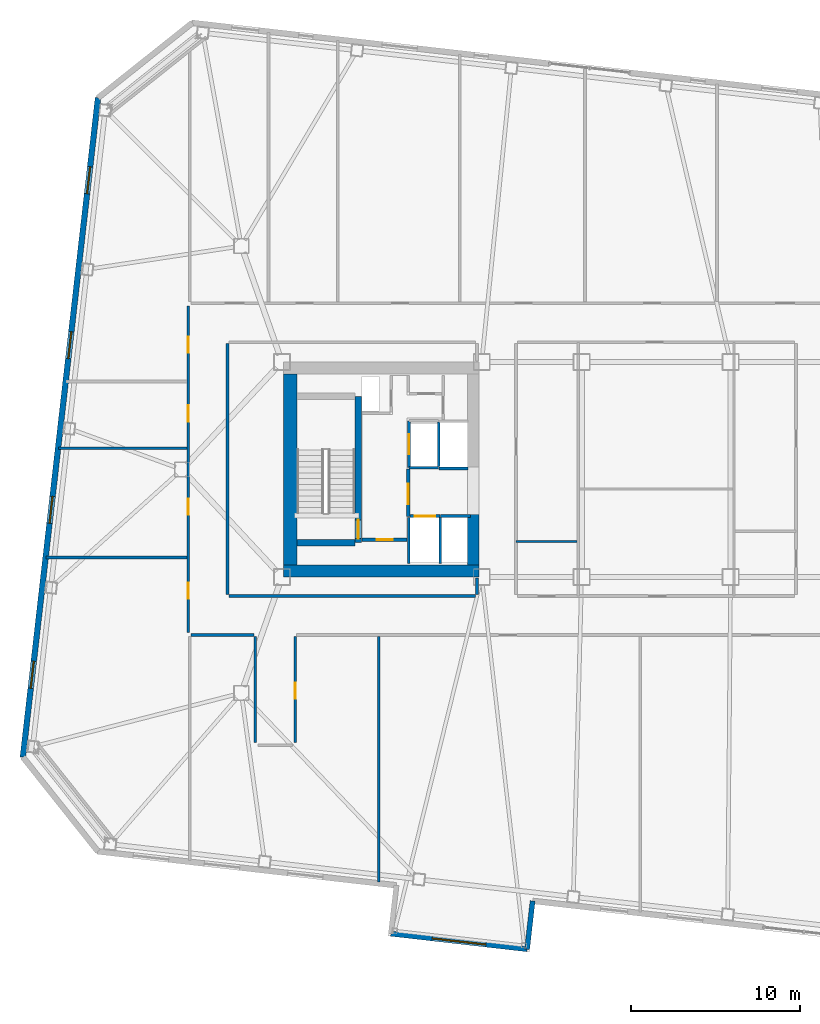
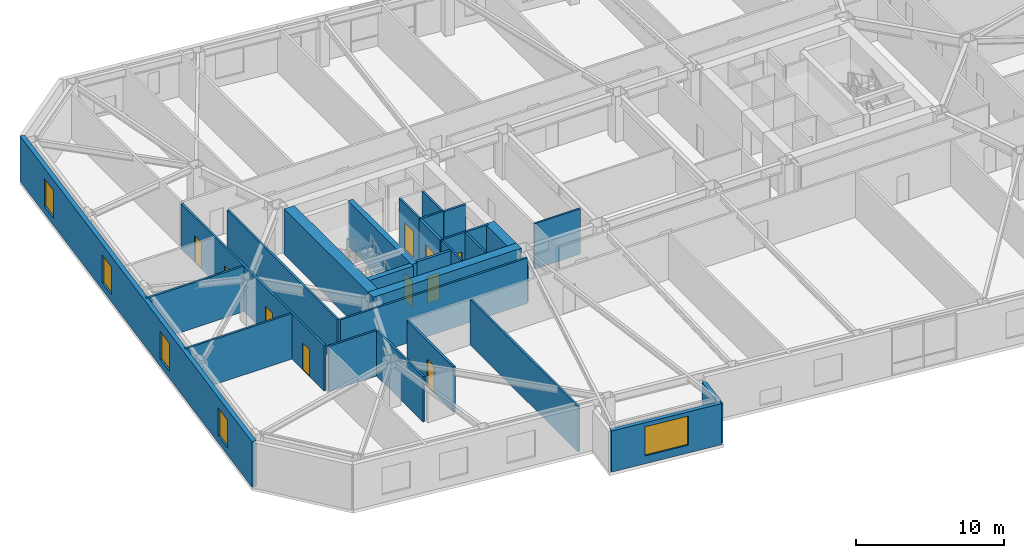
# One storey, part 10 of 19: 29 walls, 10 doors, 5 windows, 15 openings.
"""IFC4 building model written with IfcOpenShell, lengths in metres."""

from ifc_helpers import new_model, si_unit, direction, frame, frame_2d, origin, place, context, subcontext, project, spatial, rectangle, extrude, material, layer, layer_set, type_object, element, fill, save


model = new_model("IFC4")

# Units and contexts
model_context = context("Model", 3, precision=1e-05, world=origin(), true_north=direction((0.0, 1.0)))
body_context = subcontext(model_context, "Body", "Model", "MODEL_VIEW")
ifc_project = project(units=[si_unit("LENGTHUNIT", "METRE"), si_unit("AREAUNIT", "SQUARE_METRE"), si_unit("VOLUMEUNIT", "CUBIC_METRE"), si_unit("PLANEANGLEUNIT", "RADIAN"), si_unit("MASSUNIT", "GRAM", prefix="KILO")], contexts=[model_context])

# Site, building, storey
site_placement = place(None, origin())
site = spatial("IfcSite", under=ifc_project, at=site_placement, CompositionType="ELEMENT")
building_placement = place(site_placement, origin())
building = spatial("IfcBuilding", under=site, at=building_placement, Name="Tavrogorsk Clinical Tower", CompositionType="ELEMENT")
storey_placement = place(building_placement, frame((0.0, 0.0, 101.39990234375)))
storey = spatial("IfcBuildingStorey", under=building, at=storey_placement, Name="L22", CompositionType="ELEMENT", Elevation=101.39990234375)

# Wall, opening, door
ifc_material_1 = material(Name="Concrete B60", Category="concrete")
ifc_layer_1 = layer(ifc_material_1, 0.199951171875)
ifc_layer_set_1 = layer_set([ifc_layer_1], Name="Concrete B60")
wall_type_1 = type_object("IfcWallType", Name="CoreFireWall_200", PredefinedType="SOLIDWALL", material=ifc_layer_set_1)
wall_1_placement = place(storey_placement, frame((-17.3798828125, -4.139892578125, 0.0), z_axis=(0.0, 0.0, 1.0), x_axis=(1.0, 0.0, 0.0)))
wall_1 = element("IfcWall", 1, at=wall_1_placement, inside=storey, type_object=wall_type_1, Name="L22 Core West South Core Room Fire Wall", PredefinedType="SOLIDWALL", context=body_context, shape_type="SweptSolid", body=[
    extrude(rectangle(XDim=2.659912109375, YDim=0.199951171875, at=frame_2d((1.330078125, 0.0))), origin(), (0.0, 0.0, 1.0), 3.739990234375),
])
opening_1_placement = place(wall_1_placement, frame((0.8798828125, 0.0, 0.0)))
opening_1 = element("IfcOpeningElement", 2, at=opening_1_placement, cuts=wall_1, Name="Opening ID-02", PredefinedType="OPENING", context=body_context, shape_type="SweptSolid", body=[
    extrude(rectangle(XDim=0.949951171875, YDim=2.199951171875, at=frame_2d((0.47509765625, 1.10009765625))), frame((0.0, 0.10986328125, 0.0), z_axis=(0.0, -1.0, 0.0), x_axis=(1.0, 0.0, 0.0)), (0.0, 0.0, 1.0), 0.219970703125),
])
ifc_material_2 = material(Name="Laminated timber leaf on aluminium frame", Category="wood")
door_type_1 = type_object("IfcDoorType", Name="InteriorDoor_ID02_950", OperationType="NOTDEFINED", PredefinedType="DOOR", material=ifc_material_2)
door_1_placement = place(opening_1_placement, origin())
door_1 = element("IfcDoor", 3, at=door_1_placement, inside=storey, type_object=door_type_1, Name="L22 Core West South Core Room Door", OperationType="SINGLE_SWING_RIGHT", OverallHeight=2.199951171875, OverallWidth=0.949951171875, PredefinedType="DOOR", context=body_context, shape_type="SweptSolid", body=[
    extrude(rectangle(XDim=0.949951171875, YDim=2.199951171875, at=frame_2d((0.47509765625, 1.10009765625))), frame((0.0, 0.02490234375, 0.0), z_axis=(0.0, -1.0, 0.0), x_axis=(1.0, 0.0, 0.0)), (0.0, 0.0, 1.0), 0.050048828125),
])
fill(opening_1, door_1)

wall_2_placement = place(storey_placement, frame((-14.639892578125, -2.780029296875, 0.0), z_axis=(0.0, 0.0, 1.0), x_axis=(0.0, 1.0, 0.0)))
wall_2 = element("IfcWall", 4, at=wall_2_placement, inside=storey, type_object=wall_type_1, Name="L22 Core West Firefighting Lobby Fire Wall", PredefinedType="SOLIDWALL", context=body_context, shape_type="SweptSolid", body=[
    extrude(rectangle(XDim=2.820068359375, YDim=0.199951171875, at=frame_2d((1.41015625, 0.0))), origin(), (0.0, 0.0, 1.0), 3.739990234375),
])
opening_2_placement = place(wall_2_placement, frame((0.72998046875, 0.0, 0.0)))
opening_2 = element("IfcOpeningElement", 5, at=opening_2_placement, cuts=wall_2, Name="Opening FD-01", PredefinedType="OPENING", context=body_context, shape_type="SweptSolid", body=[
    extrude(rectangle(XDim=1.199951171875, YDim=2.199951171875, at=frame_2d((0.60009765625, 1.10009765625))), frame((0.0, 0.10986328125, 0.0), z_axis=(0.0, -1.0, 0.0), x_axis=(1.0, 0.0, 0.0)), (0.0, 0.0, 1.0), 0.219970703125),
])
ifc_material_3 = material(Name="Galvanised steel fire-rated door assembly", Category="steel")
door_type_2 = type_object("IfcDoorType", Name="FireDoor_FD01_1200", OperationType="NOTDEFINED", PredefinedType="DOOR", material=ifc_material_3)
door_2_placement = place(opening_2_placement, origin())
door_2 = element("IfcDoor", 6, at=door_2_placement, inside=storey, type_object=door_type_2, Name="L22 Core West Firefighting Lobby Entry Door", OperationType="SINGLE_SWING_LEFT", OverallHeight=2.199951171875, OverallWidth=1.199951171875, PredefinedType="DOOR", context=body_context, shape_type="SweptSolid", body=[
    extrude(rectangle(XDim=1.199951171875, YDim=2.199951171875, at=frame_2d((0.60009765625, 1.10009765625))), frame((0.0, 0.02490234375, 0.0), z_axis=(0.0, -1.0, 0.0), x_axis=(1.0, 0.0, 0.0)), (0.0, 0.0, 1.0), 0.050048828125),
])
fill(opening_2, door_2)

# Walls
ifc_material_4 = material(Name="Lightweight concrete blockwork B15", Category="masonry")
ifc_layer_2 = layer(ifc_material_4, 0.139892578125)
ifc_layer_set_2 = layer_set([ifc_layer_2], Name="Lightweight concrete blockwork B15")
wall_type_2 = type_object("IfcWallType", Name="PartitionWall_140", PredefinedType="PARTITIONING", material=ifc_layer_set_2)
wall_3_placement = place(storey_placement, frame((-8.264892578125, -4.25, 0.0), z_axis=(0.0, 0.0, 1.0), x_axis=(1.0, 0.0, 0.0)))
element("IfcWall", 7, at=wall_3_placement, inside=storey, type_object=wall_type_2, Name="L22 Central Spine Partition 4", PredefinedType="PARTITIONING", context=body_context, shape_type="SweptSolid", body=[
    extrude(rectangle(XDim=3.58984375, YDim=0.139892578125, at=frame_2d((1.794921875, 0.0))), origin(), (0.0, 0.0, 1.0), 3.739990234375),
])
ifc_material_5 = material(Name="Lightweight concrete blockwork B15", Category="masonry")
ifc_layer_3 = layer(ifc_material_5, 0.159912109375)
ifc_layer_set_3 = layer_set([ifc_layer_3], Name="Lightweight concrete blockwork B15")
wall_type_3 = type_object("IfcWallType", Name="PartitionWall_160", PredefinedType="PARTITIONING", material=ifc_layer_set_3)
wall_4_placement = place(storey_placement, frame((-23.764892578125, -9.780029296875, 0.0), z_axis=(0.0, 0.0, 1.0), x_axis=(-1.0, 0.0, 0.0)))
element("IfcWall", 8, at=wall_4_placement, inside=storey, type_object=wall_type_3, Name="L22 Corridor Partition 01", PredefinedType="PARTITIONING", context=body_context, shape_type="SweptSolid", body=[
    extrude(rectangle(XDim=3.7001953125, YDim=0.159912109375, at=frame_2d((1.85009765625, 0.0))), origin(), (0.0, 0.0, 1.0), 3.739990234375),
])

# Wall, openings, doors
wall_5_placement = place(storey_placement, frame((-27.6298828125, -9.614990234375, 0.0), z_axis=(0.0, 0.0, 1.0), x_axis=(0.0, 1.0, 0.0)))
wall_5 = element("IfcWall", 9, at=wall_5_placement, inside=storey, type_object=wall_type_3, Name="L22 Corridor Partition 02", PredefinedType="PARTITIONING", context=body_context, shape_type="SweptSolid", body=[
    extrude(rectangle(XDim=19.280029296875, YDim=0.159912109375, at=frame_2d((9.64013671875, 0.0))), origin(), (0.0, 0.0, 1.0), 3.739990234375),
])
opening_3_placement = place(wall_5_placement, frame((1.968994140625, 0.0, 0.0)))
opening_3 = element("IfcOpeningElement", 10, at=opening_3_placement, cuts=wall_5, Name="Opening ID-02", PredefinedType="OPENING", context=body_context, shape_type="SweptSolid", body=[
    extrude(rectangle(XDim=0.949951171875, YDim=2.199951171875, at=frame_2d((0.47509765625, 1.10009765625))), frame((0.0, 0.08984375, 0.0), z_axis=(0.0, -1.0, 0.0), x_axis=(1.0, 0.0, 0.0)), (0.0, 0.0, 1.0), 0.179931640625),
])
opening_4_placement = place(wall_5_placement, frame((6.949951171875, 0.0, 0.0)))
opening_4 = element("IfcOpeningElement", 11, at=opening_4_placement, cuts=wall_5, Name="Opening ID-02", PredefinedType="OPENING", context=body_context, shape_type="SweptSolid", body=[
    extrude(rectangle(XDim=0.949951171875, YDim=2.199951171875, at=frame_2d((0.47509765625, 1.10009765625))), frame((0.0, 0.08984375, 0.0), z_axis=(0.0, -1.0, 0.0), x_axis=(1.0, 0.0, 0.0)), (0.0, 0.0, 1.0), 0.179931640625),
])
opening_5_placement = place(wall_5_placement, frame((12.449951171875, 0.0, 0.0)))
opening_5 = element("IfcOpeningElement", 12, at=opening_5_placement, cuts=wall_5, Name="Opening ID-02", PredefinedType="OPENING", context=body_context, shape_type="SweptSolid", body=[
    extrude(rectangle(XDim=0.949951171875, YDim=2.199951171875, at=frame_2d((0.47509765625, 1.10009765625))), frame((0.0, 0.08984375, 0.0), z_axis=(0.0, -1.0, 0.0), x_axis=(1.0, 0.0, 0.0)), (0.0, 0.0, 1.0), 0.179931640625),
])
opening_6_placement = place(wall_5_placement, frame((16.505859375, 0.0, 0.0)))
opening_6 = element("IfcOpeningElement", 13, at=opening_6_placement, cuts=wall_5, Name="Opening ID-02", PredefinedType="OPENING", context=body_context, shape_type="SweptSolid", body=[
    extrude(rectangle(XDim=0.949951171875, YDim=2.199951171875, at=frame_2d((0.47509765625, 1.10009765625))), frame((0.0, 0.08984375, 0.0), z_axis=(0.0, -1.0, 0.0), x_axis=(1.0, 0.0, 0.0)), (0.0, 0.0, 1.0), 0.179931640625),
])
door_3_placement = place(opening_3_placement, origin())
door_3 = element("IfcDoor", 14, at=door_3_placement, inside=storey, type_object=door_type_1, Name="L22 W Solarium Day Room & Lounge 1 Door", OperationType="SINGLE_SWING_RIGHT", OverallHeight=2.199951171875, OverallWidth=0.949951171875, PredefinedType="DOOR", context=body_context, shape_type="SweptSolid", body=[
    extrude(rectangle(XDim=0.949951171875, YDim=2.199951171875, at=frame_2d((0.47509765625, 1.10009765625))), frame((0.0, 0.02490234375, 0.0), z_axis=(0.0, -1.0, 0.0), x_axis=(1.0, 0.0, 0.0)), (0.0, 0.0, 1.0), 0.050048828125),
])
fill(opening_3, door_3)
door_4_placement = place(opening_4_placement, origin())
door_4 = element("IfcDoor", 15, at=door_4_placement, inside=storey, type_object=door_type_1, Name="L22 W Rehabilitation Therapy Suite 2 Door", OperationType="SINGLE_SWING_LEFT", OverallHeight=2.199951171875, OverallWidth=0.949951171875, PredefinedType="DOOR", context=body_context, shape_type="SweptSolid", body=[
    extrude(rectangle(XDim=0.949951171875, YDim=2.199951171875, at=frame_2d((0.47509765625, 1.10009765625))), frame((0.0, 0.02490234375, 0.0), z_axis=(0.0, -1.0, 0.0), x_axis=(1.0, 0.0, 0.0)), (0.0, 0.0, 1.0), 0.050048828125),
])
fill(opening_4, door_4)
door_5_placement = place(opening_5_placement, origin())
door_5 = element("IfcDoor", 16, at=door_5_placement, inside=storey, type_object=door_type_1, Name="L22 W Sub-Acute Observation Suite 3 Door", OperationType="SINGLE_SWING_RIGHT", OverallHeight=2.199951171875, OverallWidth=0.949951171875, PredefinedType="DOOR", context=body_context, shape_type="SweptSolid", body=[
    extrude(rectangle(XDim=0.949951171875, YDim=2.199951171875, at=frame_2d((0.47509765625, 1.10009765625))), frame((0.0, 0.02490234375, 0.0), z_axis=(0.0, -1.0, 0.0), x_axis=(1.0, 0.0, 0.0)), (0.0, 0.0, 1.0), 0.050048828125),
])
fill(opening_5, door_5)
door_6_placement = place(opening_6_placement, origin())
door_6 = element("IfcDoor", 17, at=door_6_placement, inside=storey, type_object=door_type_1, Name="L22 W Family Consultation Lounge 4 Door", OperationType="SINGLE_SWING_LEFT", OverallHeight=2.199951171875, OverallWidth=0.949951171875, PredefinedType="DOOR", context=body_context, shape_type="SweptSolid", body=[
    extrude(rectangle(XDim=0.949951171875, YDim=2.199951171875, at=frame_2d((0.47509765625, 1.10009765625))), frame((0.0, 0.02490234375, 0.0), z_axis=(0.0, -1.0, 0.0), x_axis=(1.0, 0.0, 0.0)), (0.0, 0.0, 1.0), 0.050048828125),
])
fill(opening_6, door_6)

# Wall, opening, door
wall_6_placement = place(storey_placement, frame((-21.320068359375, -9.864990234375, 0.0), z_axis=(0.0, 0.0, 1.0), x_axis=(0.0, -1.0, 0.0)))
wall_6 = element("IfcWall", 18, at=wall_6_placement, inside=storey, type_object=wall_type_3, Name="L22 Corridor Partition 06", PredefinedType="PARTITIONING", context=body_context, shape_type="SweptSolid", body=[
    extrude(rectangle(XDim=6.25, YDim=0.159912109375, at=frame_2d((3.125, 0.0))), origin(), (0.0, 0.0, 1.0), 3.739990234375),
])
opening_7_placement = place(wall_6_placement, frame((2.735107421875, 0.0, 0.0)))
opening_7 = element("IfcOpeningElement", 19, at=opening_7_placement, cuts=wall_6, Name="Opening ID-02", PredefinedType="OPENING", context=body_context, shape_type="SweptSolid", body=[
    extrude(rectangle(XDim=0.949951171875, YDim=2.199951171875, at=frame_2d((0.47509765625, 1.10009765625))), frame((0.0, 0.08984375, 0.0), z_axis=(0.0, -1.0, 0.0), x_axis=(1.0, 0.0, 0.0)), (0.0, 0.0, 1.0), 0.179931640625),
])
door_7_placement = place(opening_7_placement, origin())
door_7 = element("IfcDoor", 20, at=door_7_placement, inside=storey, type_object=door_type_1, Name="L22 South Clinical Informatics Research Office 01 Door", OperationType="SINGLE_SWING_LEFT", OverallHeight=2.199951171875, OverallWidth=0.949951171875, PredefinedType="DOOR", context=body_context, shape_type="SweptSolid", body=[
    extrude(rectangle(XDim=0.949951171875, YDim=2.199951171875, at=frame_2d((0.47509765625, 1.10009765625))), frame((0.0, 0.02490234375, 0.0), z_axis=(0.0, -1.0, 0.0), x_axis=(1.0, 0.0, 0.0)), (0.0, 0.0, 1.0), 0.050048828125),
])
fill(opening_7, door_7)

# Walls
wall_7_placement = place(storey_placement, frame((-23.679931640625, -16.114990234375, 0.0), z_axis=(0.0, 0.0, 1.0), x_axis=(0.0, 1.0, 0.0)))
element("IfcWall", 21, at=wall_7_placement, inside=storey, type_object=wall_type_3, Name="L22 Corridor Partition 08", PredefinedType="PARTITIONING", context=body_context, shape_type="SweptSolid", body=[
    extrude(rectangle(XDim=6.25, YDim=0.159912109375, at=frame_2d((3.125, 0.0))), origin(), (0.0, 0.0, 1.0), 3.739990234375),
])
wall_8_placement = place(storey_placement, frame((-10.580078125, -7.385009765625, 0.0), z_axis=(0.0, 0.0, 1.0), x_axis=(0.0, 1.0, 0.0)))
element("IfcWall", 22, at=wall_8_placement, inside=storey, type_object=wall_type_3, Name="L22 Corridor Partition 18", PredefinedType="PARTITIONING", context=body_context, shape_type="SweptSolid", body=[
    extrude(rectangle(XDim=0.965087890625, YDim=0.159912109375, at=frame_2d((0.482421875, 0.0))), origin(), (0.0, 0.0, 1.0), 3.28515625),
])
wall_9_placement = place(storey_placement, frame((-25.320068359375, 7.43505859375, 0.0), z_axis=(0.0, 0.0, 1.0), x_axis=(0.0, -1.0, 0.0)))
element("IfcWall", 23, at=wall_9_placement, inside=storey, type_object=wall_type_3, Name="L22 Corridor Partition 21", PredefinedType="PARTITIONING", context=body_context, shape_type="SweptSolid", body=[
    extrude(rectangle(XDim=14.820068359375, YDim=0.159912109375, at=frame_2d((7.41015625, 0.0))), origin(), (0.0, 0.0, 1.0), 3.739990234375),
])
wall_10_placement = place(storey_placement, frame((-25.235107421875, -7.469970703125, 0.0), z_axis=(0.0, 0.0, 1.0), x_axis=(1.0, 0.0, 0.0)))
element("IfcWall", 24, at=wall_10_placement, inside=storey, type_object=wall_type_3, Name="L22 Corridor Partition 22", PredefinedType="PARTITIONING", context=body_context, shape_type="SweptSolid", body=[
    extrude(rectangle(XDim=14.570068359375, YDim=0.159912109375, at=frame_2d((7.28515625, 0.0))), origin(), (0.0, 0.0, 1.0), 3.739990234375),
])
wall_11_placement = place(storey_placement, frame((-16.386962890625, -24.37841796875, 0.0), z_axis=(0.0, 0.0, 1.0), x_axis=(0.0, 1.0, 0.0)))
element("IfcWall", 25, at=wall_11_placement, inside=storey, type_object=wall_type_3, Name="L22 South Room Partition 1", PredefinedType="PARTITIONING", context=body_context, shape_type="SweptSolid", body=[
    extrude(rectangle(XDim=14.513427734375, YDim=0.159912109375, at=frame_2d((7.2568359375, 0.0))), origin(), (0.0, 0.0, 1.0), 3.739990234375),
])
wall_12_placement = place(storey_placement, frame((-36.0419921875, -5.199951171875, 0.0), z_axis=(0.0, 0.0, 1.0), x_axis=(1.0, 0.0, 0.0)))
element("IfcWall", 26, at=wall_12_placement, inside=storey, type_object=wall_type_3, Name="L22 W Wing Divider 1", PredefinedType="PARTITIONING", context=body_context, shape_type="SweptSolid", body=[
    extrude(rectangle(XDim=8.326904296875, YDim=0.159912109375, at=frame_2d((4.16357421875, 0.0))), origin(), (0.0, 0.0, 1.0), 3.739990234375),
])
wall_13_placement = place(storey_placement, frame((-35.30712890625, 1.25, 0.0), z_axis=(0.0, 0.0, 1.0), x_axis=(1.0, 0.0, 0.0)))
element("IfcWall", 27, at=wall_13_placement, inside=storey, type_object=wall_type_3, Name="L22 W Wing Divider 2", PredefinedType="PARTITIONING", context=body_context, shape_type="SweptSolid", body=[
    extrude(rectangle(XDim=7.592041015625, YDim=0.159912109375, at=frame_2d((3.7958984375, 0.0))), origin(), (0.0, 0.0, 1.0), 3.739990234375),
])

# Wall, openings, windows
ifc_material_6 = material(Name="Precast concrete B45 with limestone cladding", Category="masonry")
ifc_layer_4 = layer(ifc_material_6, 0.340087890625)
ifc_layer_set_4 = layer_set([ifc_layer_4], Name="Precast concrete B45 with limestone cladding")
wall_type_4 = type_object("IfcWallType", Name="PrecastLimestoneWall_340", PredefinedType="STANDARD", material=ifc_layer_set_4)
wall_14_placement = place(storey_placement, frame((-32.968017578125, 21.95654296875, 0.0), z_axis=(0.0, 0.0, 1.0), x_axis=(-0.113201605824, -0.993572038877, 0.0)))
wall_14 = element("IfcWall", 28, at=wall_14_placement, inside=storey, type_object=wall_type_4, Name="L22 W Pleated Limestone Wing Wall", PredefinedType="STANDARD", context=body_context, shape_type="SweptSolid", body=[
    extrude(rectangle(XDim=39.199951171875, YDim=0.340087890625, at=frame_2d((19.60009765625, 0.0))), origin(), (0.0, 0.0, 1.0), 3.739990234375),
])
opening_8_placement = place(wall_14_placement, frame((4.10009765625, 0.0, 0.580078125)))
opening_8 = element("IfcOpeningElement", 29, at=opening_8_placement, cuts=wall_14, Name="Opening WN-07", PredefinedType="OPENING", context=body_context, shape_type="SweptSolid", body=[
    extrude(rectangle(XDim=1.60009765625, YDim=2.300048828125, at=frame_2d((0.800048828125, 1.14990234375))), frame((0.0, 0.179931640625, 0.0), z_axis=(0.0, -1.0, 0.0), x_axis=(1.0, 0.0, 0.0)), (0.0, 0.0, 1.0), 0.360107421875),
])
opening_9_placement = place(wall_14_placement, frame((13.89990234375, 0.0, 0.580078125)))
opening_9 = element("IfcOpeningElement", 30, at=opening_9_placement, cuts=wall_14, Name="Opening WN-07", PredefinedType="OPENING", context=body_context, shape_type="SweptSolid", body=[
    extrude(rectangle(XDim=1.60009765625, YDim=2.300048828125, at=frame_2d((0.800048828125, 1.14990234375))), frame((0.0, 0.179931640625, 0.0), z_axis=(0.0, -1.0, 0.0), x_axis=(1.0, 0.0, 0.0)), (0.0, 0.0, 1.0), 0.360107421875),
])
opening_10_placement = place(wall_14_placement, frame((23.699951171875, 0.0, 0.580078125)))
opening_10 = element("IfcOpeningElement", 31, at=opening_10_placement, cuts=wall_14, Name="Opening WN-07", PredefinedType="OPENING", context=body_context, shape_type="SweptSolid", body=[
    extrude(rectangle(XDim=1.60009765625, YDim=2.300048828125, at=frame_2d((0.800048828125, 1.14990234375))), frame((0.0, 0.179931640625, 0.0), z_axis=(0.0, -1.0, 0.0), x_axis=(1.0, 0.0, 0.0)), (0.0, 0.0, 1.0), 0.360107421875),
])
opening_11_placement = place(wall_14_placement, frame((33.5, 0.0, 0.580078125)))
opening_11 = element("IfcOpeningElement", 32, at=opening_11_placement, cuts=wall_14, Name="Opening WN-07", PredefinedType="OPENING", context=body_context, shape_type="SweptSolid", body=[
    extrude(rectangle(XDim=1.60009765625, YDim=2.300048828125, at=frame_2d((0.800048828125, 1.14990234375))), frame((0.0, 0.179931640625, 0.0), z_axis=(0.0, -1.0, 0.0), x_axis=(1.0, 0.0, 0.0)), (0.0, 0.0, 1.0), 0.360107421875),
])
ifc_material_7 = material(Name="Thermally broken aluminium frame and triple IGU", Category="aluminium")
window_type_1 = type_object("IfcWindowType", Name="PleatSlotWin_1600x2300", PartitioningType="SINGLE_PANEL", PredefinedType="WINDOW", material=ifc_material_7)
window_1_placement = place(opening_8_placement, origin())
window_1 = element("IfcWindow", 33, at=window_1_placement, inside=storey, type_object=window_type_1, Name="L22 W Pleat Slot Window 1", OverallHeight=2.300048828125, OverallWidth=1.60009765625, PartitioningType="SINGLE_PANEL", PredefinedType="WINDOW", context=body_context, shape_type="SweptSolid", body=[
    extrude(rectangle(XDim=1.60009765625, YDim=2.300048828125, at=frame_2d((0.800048828125, 1.14990234375))), frame((0.0, 0.030029296875, 0.0), z_axis=(0.0, -1.0, 0.0), x_axis=(1.0, 0.0, 0.0)), (0.0, 0.0, 1.0), 0.06005859375),
])
fill(opening_8, window_1)
window_2_placement = place(opening_9_placement, origin())
window_2 = element("IfcWindow", 34, at=window_2_placement, inside=storey, type_object=window_type_1, Name="L22 W Pleat Slot Window 2", OverallHeight=2.300048828125, OverallWidth=1.60009765625, PartitioningType="SINGLE_PANEL", PredefinedType="WINDOW", context=body_context, shape_type="SweptSolid", body=[
    extrude(rectangle(XDim=1.60009765625, YDim=2.300048828125, at=frame_2d((0.800048828125, 1.14990234375))), frame((0.0, 0.030029296875, 0.0), z_axis=(0.0, -1.0, 0.0), x_axis=(1.0, 0.0, 0.0)), (0.0, 0.0, 1.0), 0.06005859375),
])
fill(opening_9, window_2)
window_3_placement = place(opening_10_placement, origin())
window_3 = element("IfcWindow", 35, at=window_3_placement, inside=storey, type_object=window_type_1, Name="L22 W Pleat Slot Window 3", OverallHeight=2.300048828125, OverallWidth=1.60009765625, PartitioningType="SINGLE_PANEL", PredefinedType="WINDOW", context=body_context, shape_type="SweptSolid", body=[
    extrude(rectangle(XDim=1.60009765625, YDim=2.300048828125, at=frame_2d((0.800048828125, 1.14990234375))), frame((0.0, 0.030029296875, 0.0), z_axis=(0.0, -1.0, 0.0), x_axis=(1.0, 0.0, 0.0)), (0.0, 0.0, 1.0), 0.06005859375),
])
fill(opening_10, window_3)
window_4_placement = place(opening_11_placement, origin())
window_4 = element("IfcWindow", 36, at=window_4_placement, inside=storey, type_object=window_type_1, Name="L22 W Pleat Slot Window 4", OverallHeight=2.300048828125, OverallWidth=1.60009765625, PartitioningType="SINGLE_PANEL", PredefinedType="WINDOW", context=body_context, shape_type="SweptSolid", body=[
    extrude(rectangle(XDim=1.60009765625, YDim=2.300048828125, at=frame_2d((0.800048828125, 1.14990234375))), frame((0.0, 0.030029296875, 0.0), z_axis=(0.0, -1.0, 0.0), x_axis=(1.0, 0.0, 0.0)), (0.0, 0.0, 1.0), 0.06005859375),
])
fill(opening_11, window_4)

# Wall, opening, window
wall_15_placement = place(storey_placement, frame((-15.666259765625, -27.41943359375, 0.0), z_axis=(0.0, 0.0, 1.0), x_axis=(0.993571087422, -0.113209956448, 0.0)))
wall_15 = element("IfcWall", 37, at=wall_15_placement, inside=storey, type_object=wall_type_4, Name="L22 Day-Room Limestone Front DRB-03", PredefinedType="STANDARD", context=body_context, shape_type="SweptSolid", body=[
    extrude(rectangle(XDim=8.099853515625, YDim=0.300048828125, at=frame_2d((4.0498046875, 0.0))), origin(), (0.0, 0.0, 1.0), 3.385009765625),
])
opening_12_placement = place(wall_15_placement, frame((2.449951171875, 0.0, 0.64990234375)))
opening_12 = element("IfcOpeningElement", 38, at=opening_12_placement, cuts=wall_15, Name="Opening WN-01", PredefinedType="OPENING", context=body_context, shape_type="SweptSolid", body=[
    extrude(rectangle(XDim=3.199951171875, YDim=2.39990234375, at=frame_2d((1.60009765625, 1.199951171875))), frame((0.0, 0.159912109375, 0.0), z_axis=(0.0, -1.0, 0.0), x_axis=(1.0, 0.0, 0.0)), (0.0, 0.0, 1.0), 0.320068359375),
])
ifc_material_8 = material(Name="Thermally broken aluminium frame and triple IGU", Category="aluminium")
window_type_2 = type_object("IfcWindowType", Name="ChicagoBayWin_3200x2400", PartitioningType="TRIPLE_PANEL_HORIZONTAL", PredefinedType="WINDOW", material=ifc_material_8)
window_5_placement = place(opening_12_placement, origin())
window_5 = element("IfcWindow", 39, at=window_5_placement, inside=storey, type_object=window_type_2, Name="L22 Day-Room Front Bay Window DRB-03", OverallHeight=2.39990234375, OverallWidth=3.199951171875, PartitioningType="SINGLE_PANEL", PredefinedType="WINDOW", context=body_context, shape_type="SweptSolid", body=[
    extrude(rectangle(XDim=3.199951171875, YDim=2.39990234375, at=frame_2d((1.60009765625, 1.199951171875))), frame((0.0, 0.030029296875, 0.0), z_axis=(0.0, -1.0, 0.0), x_axis=(1.0, 0.0, 0.0)), (0.0, 0.0, 1.0), 0.06005859375),
])
fill(opening_12, window_5)

# Wall, opening, door
ifc_material_9 = material(Name="Lightweight concrete blockwork B25", Category="masonry")
ifc_layer_5 = layer(ifc_material_9, 0.159912109375)
ifc_layer_set_5 = layer_set([ifc_layer_5], Name="Lightweight concrete blockwork B25")
wall_type_5 = type_object("IfcWallType", Name="ShaftWall_160", PredefinedType="PARTITIONING", material=ifc_layer_set_5)
wall_16_placement = place(storey_placement, frame((-14.60009765625, 0.1201171875, 0.0), z_axis=(0.0, 0.0, 1.0), x_axis=(0.0, 1.0, 0.0)))
wall_16 = element("IfcWall", 40, at=wall_16_placement, inside=storey, type_object=wall_type_5, Name="L22 FFL-W Firefighting Lift Front Wall", PredefinedType="PARTITIONING", context=body_context, shape_type="SweptSolid", body=[
    extrude(rectangle(XDim=2.739990234375, YDim=0.159912109375, at=frame_2d((1.3701171875, 0.0))), origin(), (0.0, 0.0, 1.0), 3.739990234375),
])
opening_13_placement = place(wall_16_placement, frame((0.77001953125, 0.0, 0.0)))
opening_13 = element("IfcOpeningElement", 41, at=opening_13_placement, cuts=wall_16, Name="Opening LD", PredefinedType="OPENING", context=body_context, shape_type="SweptSolid", body=[
    extrude(rectangle(XDim=1.199951171875, YDim=2.199951171875, at=frame_2d((0.60009765625, 1.10009765625))), frame((0.0, 0.08984375, 0.0), z_axis=(0.0, -1.0, 0.0), x_axis=(1.0, 0.0, 0.0)), (0.0, 0.0, 1.0), 0.179931640625),
])
ifc_material_10 = material(Name="Brushed stainless steel AISI 304 sliding doors", Category="steel")
door_type_3 = type_object("IfcDoorType", Name="LiftLandingDoor_LD_1200", OperationType="SLIDING_TO_LEFT", PredefinedType="DOOR", material=ifc_material_10)
door_8_placement = place(opening_13_placement, origin())
door_8 = element("IfcDoor", 42, at=door_8_placement, inside=storey, type_object=door_type_3, Name="L22 FFL-W Sliding Lift Landing Door", OperationType="SLIDING_TO_LEFT", OverallHeight=2.199951171875, OverallWidth=1.199951171875, PredefinedType="DOOR", context=body_context, shape_type="SweptSolid", body=[
    extrude(rectangle(XDim=1.199951171875, YDim=2.199951171875, at=frame_2d((0.60009765625, 1.10009765625))), frame((0.0, 0.02490234375, 0.0), z_axis=(0.0, -1.0, 0.0), x_axis=(1.0, 0.0, 0.0)), (0.0, 0.0, 1.0), 0.050048828125),
])
fill(opening_13, door_8)

# Walls
wall_17_placement = place(storey_placement, frame((-14.60009765625, 0.10009765625, 0.0), z_axis=(0.0, 0.0, 1.0), x_axis=(1.0, 0.0, 0.0)))
element("IfcWall", 43, at=wall_17_placement, inside=storey, type_object=wall_type_5, Name="L22 FFL-W Shaft South Wall", PredefinedType="PARTITIONING", context=body_context, shape_type="SweptSolid", body=[
    extrude(rectangle(XDim=1.760009765625, YDim=0.159912109375, at=frame_2d((0.8798828125, 0.0))), origin(), (0.0, 0.0, 1.0), 3.739990234375),
])
wall_18_placement = place(storey_placement, frame((-12.840087890625, 0.179931640625, 0.0), z_axis=(0.0, 0.0, 1.0), x_axis=(0.0, 1.0, 0.0)))
element("IfcWall", 44, at=wall_18_placement, inside=storey, type_object=wall_type_5, Name="L22 FFL-W Shaft Back Wall", PredefinedType="PARTITIONING", context=body_context, shape_type="SweptSolid", body=[
    extrude(rectangle(XDim=2.6201171875, YDim=0.159912109375, at=frame_2d((1.31005859375, 0.0))), origin(), (0.0, 0.0, 1.0), 3.739990234375),
])

# Wall, opening, door
wall_19_placement = place(storey_placement, frame((-14.530029296875, -2.75, 0.0), z_axis=(0.0, 0.0, 1.0), x_axis=(1.0, 0.0, 0.0)))
wall_19 = element("IfcWall", 45, at=wall_19_placement, inside=storey, type_object=wall_type_5, Name="L22 LP-L1 Lift Shaft Portal Wall", PredefinedType="PARTITIONING", context=body_context, shape_type="SweptSolid", body=[
    extrude(rectangle(XDim=1.760009765625, YDim=0.159912109375, at=frame_2d((0.8798828125, 0.0))), origin(), (0.0, 0.0, 1.0), 3.739990234375),
])
opening_14_placement = place(wall_19_placement, frame((0.280029296875, 0.0, 0.0)))
opening_14 = element("IfcOpeningElement", 46, at=opening_14_placement, cuts=wall_19, Name="Opening LD", PredefinedType="OPENING", context=body_context, shape_type="SweptSolid", body=[
    extrude(rectangle(XDim=1.199951171875, YDim=2.199951171875, at=frame_2d((0.60009765625, 1.10009765625))), frame((0.0, 0.08984375, 0.0), z_axis=(0.0, -1.0, 0.0), x_axis=(1.0, 0.0, 0.0)), (0.0, 0.0, 1.0), 0.179931640625),
])
door_9_placement = place(opening_14_placement, origin())
door_9 = element("IfcDoor", 47, at=door_9_placement, inside=storey, type_object=door_type_3, Name="L22 LP-L1 Sliding Lift Landing Door", OperationType="SLIDING_TO_LEFT", OverallHeight=2.199951171875, OverallWidth=1.199951171875, PredefinedType="DOOR", context=body_context, shape_type="SweptSolid", body=[
    extrude(rectangle(XDim=1.199951171875, YDim=2.199951171875, at=frame_2d((0.60009765625, 1.10009765625))), frame((0.0, 0.02490234375, 0.0), z_axis=(0.0, -1.0, 0.0), x_axis=(1.0, 0.0, 0.0)), (0.0, 0.0, 1.0), 0.050048828125),
])
fill(opening_14, door_9)

# Walls
for number, where, z_axis, x_axis, name in (
    (48, (-12.75, -5.5400390625, 0.0), (0.0, 0.0, 1.0), (0.0, 1.0, 0.0), "L22 LP-L1 Lift Hoistway Divider Wall"),
    (49, (-14.610107421875, -5.5400390625, 0.0), (0.0, 0.0, 1.0), (0.0, 1.0, 0.0), "L22 LP-L1 Lift Hoistway Outer Cheek Wall"),
):
    element("IfcWall", number, at=place(storey_placement, frame(where, z_axis=z_axis, x_axis=x_axis)), inside=storey, type_object=wall_type_5, Name=name, PredefinedType="PARTITIONING", context=body_context, shape_type="SweptSolid", body=[
        extrude(rectangle(XDim=2.699951171875, YDim=0.159912109375, at=frame_2d((1.35009765625, 0.0))), origin(), (0.0, 0.0, 1.0), 3.739990234375),
    ])
wall_20_placement = place(storey_placement, frame((-12.72998046875, -2.75, 0.0), z_axis=(0.0, 0.0, 1.0), x_axis=(1.0, 0.0, 0.0)))
element("IfcWall", 50, at=wall_20_placement, inside=storey, type_object=wall_type_5, Name="L22 LP-M1 Lift Shaft Portal Wall", PredefinedType="PARTITIONING", context=body_context, shape_type="SweptSolid", body=[
    extrude(rectangle(XDim=1.760009765625, YDim=0.159912109375, at=frame_2d((0.8798828125, 0.0))), origin(), (0.0, 0.0, 1.0), 3.739990234375),
])
wall_21_placement = place(storey_placement, frame((-12.820068359375, 0.06005859375, 0.0), z_axis=(0.0, 0.0, 1.0), x_axis=(1.0, 0.0, 0.0)))
element("IfcWall", 51, at=wall_21_placement, inside=storey, type_object=wall_type_5, Name="L22 LP-H1 High-Zone Lift Portal Wall", PredefinedType="PARTITIONING", context=body_context, shape_type="SweptSolid", body=[
    extrude(rectangle(XDim=1.719970703125, YDim=0.159912109375, at=frame_2d((0.85986328125, 0.0))), origin(), (0.0, 0.0, 1.0), 3.739990234375),
])

# Wall, opening, door
ifc_material_11 = material(Name="Concrete B80", Category="concrete")
ifc_layer_6 = layer(ifc_material_11, 0.39990234375)
ifc_layer_set_6 = layer_set([ifc_layer_6], Name="Concrete B80")
wall_type_6 = type_object("IfcWallType", Name="ShearWall_400", PredefinedType="SHEAR", material=ifc_layer_set_6)
wall_22_placement = place(storey_placement, frame((-17.60009765625, -4.324951171875, 0.0), z_axis=(0.0, 0.0, 1.0), x_axis=(0.0, 1.0, 0.0)))
wall_22 = element("IfcWall", 52, at=wall_22_placement, inside=storey, type_object=wall_type_6, Name="L22 Core West Stair Shaft Inner Shear Wall", PredefinedType="SHEAR", context=body_context, shape_type="SweptSolid", body=[
    extrude(rectangle(XDim=8.64990234375, YDim=0.39990234375, at=frame_2d((4.324951171875, 0.0))), origin(), (0.0, 0.0, 1.0), 3.739990234375),
])
opening_15_placement = place(wall_22_placement, frame((0.25, 0.0, 0.0)))
opening_15 = element("IfcOpeningElement", 53, at=opening_15_placement, cuts=wall_22, Name="Opening SD-01", PredefinedType="OPENING", context=body_context, shape_type="SweptSolid", body=[
    extrude(rectangle(XDim=1.10009765625, YDim=2.199951171875, at=frame_2d((0.550048828125, 1.10009765625))), frame((0.0, 0.2099609375, 0.0), z_axis=(0.0, -1.0, 0.0), x_axis=(1.0, 0.0, 0.0)), (0.0, 0.0, 1.0), 0.419921875),
])
ifc_material_12 = material(Name="Galvanised steel smoke-tight fire door assembly", Category="steel")
door_type_4 = type_object("IfcDoorType", Name="StairFireDoor_SD01_1100", OperationType="NOTDEFINED", PredefinedType="DOOR", material=ifc_material_12)
door_10_placement = place(opening_15_placement, origin())
door_10 = element("IfcDoor", 54, at=door_10_placement, inside=storey, type_object=door_type_4, Name="L22 ST-W Exit Stair Door", OperationType="SINGLE_SWING_LEFT", OverallHeight=2.199951171875, OverallWidth=1.10009765625, PredefinedType="DOOR", context=body_context, shape_type="SweptSolid", body=[
    extrude(rectangle(XDim=1.10009765625, YDim=2.199951171875, at=frame_2d((0.550048828125, 1.10009765625))), frame((0.0, 0.02490234375, 0.0), z_axis=(0.0, -1.0, 0.0), x_axis=(1.0, 0.0, 0.0)), (0.0, 0.0, 1.0), 0.050048828125),
])
fill(opening_15, door_10)

# Walls
wall_23_placement = place(storey_placement, frame((-21.199951171875, -4.324951171875, 0.0), z_axis=(0.0, 0.0, 1.0), x_axis=(1.0, 0.0, 0.0)))
element("IfcWall", 55, at=wall_23_placement, inside=storey, type_object=wall_type_6, Name="L22 Core West Stair Shaft South Shear Wall", PredefinedType="SHEAR", context=body_context, shape_type="SweptSolid", body=[
    extrude(rectangle(XDim=3.39990234375, YDim=0.39990234375, at=frame_2d((1.699951171875, 0.0))), origin(), (0.0, 0.0, 1.0), 3.739990234375),
])
ifc_material_13 = material(Name="Concrete B80", Category="concrete")
ifc_layer_7 = layer(ifc_material_13, 0.699951171875)
ifc_layer_set_7 = layer_set([ifc_layer_7], Name="Concrete B80")
wall_type_7 = type_object("IfcWallType", Name="ShearWall_700", PredefinedType="SHEAR", material=ifc_layer_set_7)
wall_24_placement = place(storey_placement, frame((-22.0, -6.0, 0.0), z_axis=(0.0, 0.0, 1.0), x_axis=(1.0, 0.0, 0.0)))
element("IfcWall", 56, at=wall_24_placement, inside=storey, type_object=wall_type_7, Name="L22 Core West South Shear Wall", PredefinedType="SHEAR", context=body_context, shape_type="SweptSolid", body=[
    extrude(rectangle(XDim=11.550048828125, YDim=0.699951171875, at=frame_2d((5.77490234375, 0.0))), origin(), (0.0, 0.0, 1.0), 3.739990234375),
])
wall_25_placement = place(storey_placement, frame((-10.800048828125, -5.64990234375, 0.0), z_axis=(0.0, 0.0, 1.0), x_axis=(0.0, 1.0, 0.0)))
element("IfcWall", 57, at=wall_25_placement, inside=storey, type_object=wall_type_7, Name="L22 Core West Inner South Pier", PredefinedType="SHEAR", context=body_context, shape_type="SweptSolid", body=[
    extrude(rectangle(XDim=3.0, YDim=0.699951171875, at=frame_2d((1.5, 0.0))), origin(), (0.0, 0.0, 1.0), 3.739990234375),
])
ifc_material_14 = material(Name="Concrete B80", Category="concrete")
ifc_layer_8 = layer(ifc_material_14, 0.800048828125)
ifc_layer_set_8 = layer_set([ifc_layer_8], Name="Concrete B80")
wall_type_8 = type_object("IfcWallType", Name="ShearWall_800", PredefinedType="SHEAR", material=ifc_layer_set_8)
wall_26_placement = place(storey_placement, frame((-21.60009765625, -5.64990234375, 0.0), z_axis=(0.0, 0.0, 1.0), x_axis=(0.0, 1.0, 0.0)))
element("IfcWall", 58, at=wall_26_placement, inside=storey, type_object=wall_type_8, Name="L22 Core West End Shear Wall", PredefinedType="SHEAR", context=body_context, shape_type="SweptSolid", body=[
    extrude(rectangle(XDim=11.2998046875, YDim=0.800048828125, at=frame_2d((5.64990234375, 0.0))), origin(), (0.0, 0.0, 1.0), 3.739990234375),
])
ifc_material_15 = material(Name="Precast concrete B45 with mineral wool", Category="concrete")
ifc_layer_9 = layer(ifc_material_15, 0.300048828125)
ifc_layer_set_9 = layer_set([ifc_layer_9], Name="Precast concrete B45 with mineral wool")
wall_type_9 = type_object("IfcWallType", Name="SpandrelBackWall_300", PredefinedType="STANDARD", material=ifc_layer_set_9)
wall_27_placement = place(storey_placement, frame((-7.29345703125, -25.48486328125, 0.0), z_axis=(0.0, 0.0, 1.0), x_axis=(-0.113222704107, -0.993569634839, 0.0)))
element("IfcWall", 59, at=wall_27_placement, inside=storey, type_object=wall_type_9, Name="L22 Day-Room Cheek Wall DRB-03-R", PredefinedType="STANDARD", context=body_context, shape_type="SweptSolid", body=[
    extrude(rectangle(XDim=2.8701171875, YDim=0.300048828125, at=frame_2d((1.43505859375, 0.0))), origin(), (0.0, 0.0, 1.0), 3.28515625),
])

save(model, "model.ifc")
